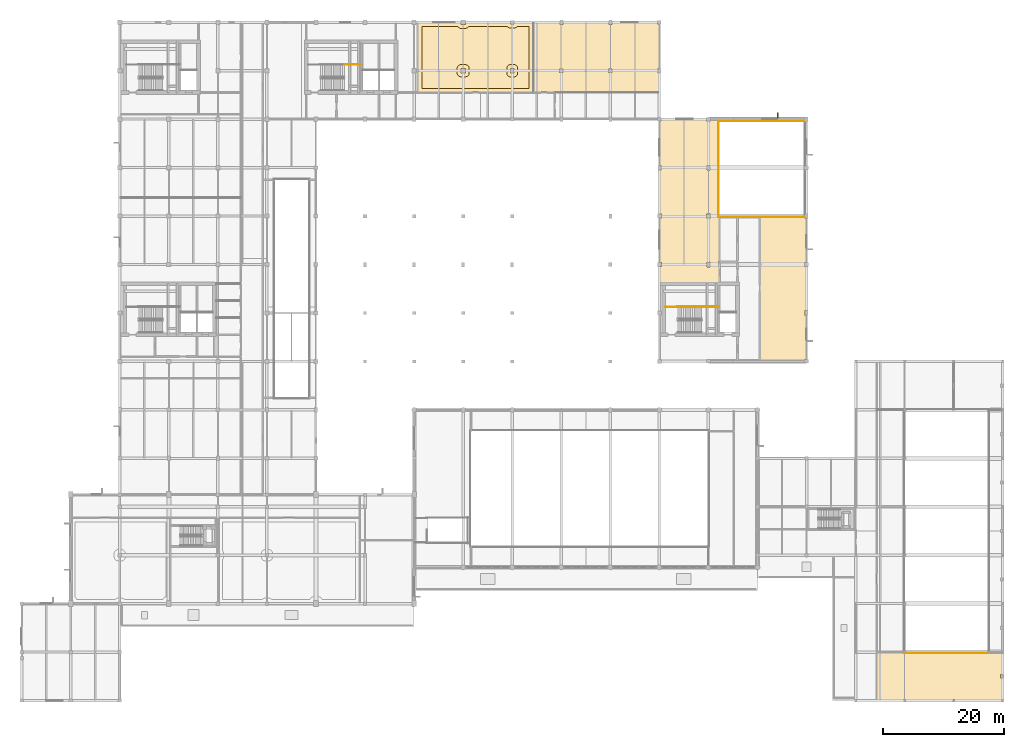
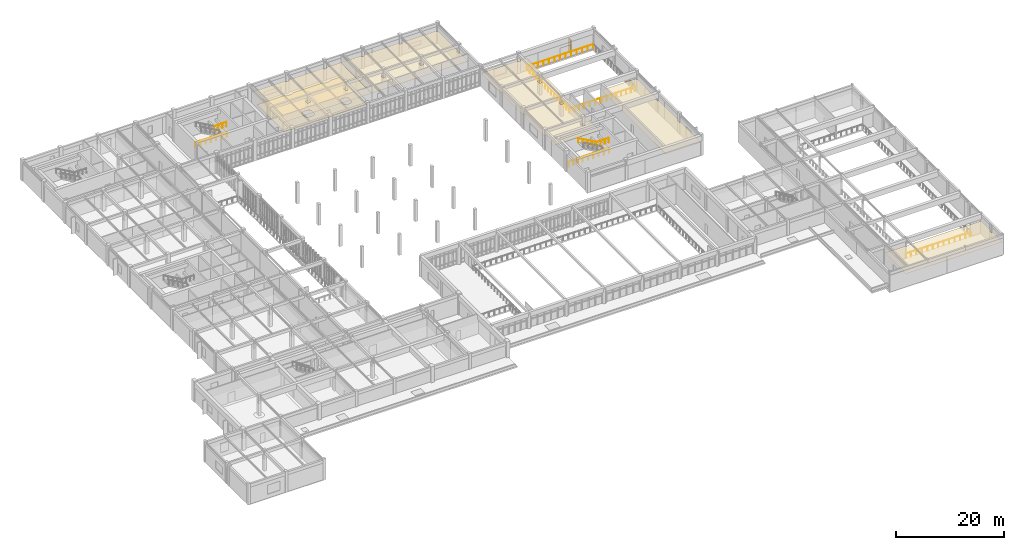
# One storey, part 59 of 61: 12 railings, 6 coverings, 1 shading device.
"""IFC4 building model written with IfcOpenShell, lengths in metres."""

from ifc_helpers import new_model, si_unit, direction, frame, origin, origin_2d, place, context, subcontext, project, spatial, polyline, rectangle, circle, outline, extrude, material, layer, layer_set, material_profile, profile_set, type_object, element, save


model = new_model("IFC4")

# Units and contexts
model_context = context("Model", 3, precision=1e-05, world=origin(), true_north=direction((0.0, 1.0)))
body_context = subcontext(model_context, "Body", "Model", "MODEL_VIEW")
ifc_project = project(units=[si_unit("LENGTHUNIT", "METRE"), si_unit("AREAUNIT", "SQUARE_METRE"), si_unit("VOLUMEUNIT", "CUBIC_METRE"), si_unit("PLANEANGLEUNIT", "RADIAN"), si_unit("MASSUNIT", "GRAM", prefix="KILO")], contexts=[model_context])

# Site, building, storey
site_placement = place(None, origin())
site = spatial("IfcSite", under=ifc_project, at=site_placement, CompositionType="ELEMENT")
building_placement = place(site_placement, origin())
building = spatial("IfcBuilding", under=site, at=building_placement, Name="Tarnveldt Square Police Headquarters", CompositionType="ELEMENT")
storey_placement = place(building_placement, frame((0.0, 0.0, 5.39990234375)))
storey = spatial("IfcBuildingStorey", under=building, at=storey_placement, Name="L01", CompositionType="ELEMENT", Elevation=5.39990234375)

# Coverings
ifc_material_1 = material(Name="Mineral-fibre acoustic ceiling tile", Category="gypsum")
ifc_layer_1 = layer(ifc_material_1, 0.02001953125)
ifc_layer_set_1 = layer_set([ifc_layer_1], Name="Mineral-fibre acoustic ceiling tile")
covering_type_1 = type_object("IfcCoveringType", Name="COV-CEIL-20", PredefinedType="CEILING", material=ifc_layer_set_1)
covering_1_placement = place(storey_placement, frame((0.0, 0.0, 2.75)))
element("IfcCovering", 1, at=covering_1_placement, inside=storey, type_object=covering_type_1, Name="Cardiovascular Conditioning Studio Acoustic Ceiling", PredefinedType="CEILING", context=body_context, shape_type="SweptSolid", body=[
    extrude(outline(polyline([(161.949951171875, 0.16357421875), (161.843505859375, 0.16357421875), (161.843505859375, 0.050048828125), (154.056396484375, 0.050048828125), (154.056396484375, 0.16357421875), (153.743408203125, 0.16357421875), (153.743408203125, 0.050048828125), (145.95654296875, 0.050048828125), (145.95654296875, 0.16357421875), (145.6435546875, 0.16357421875), (145.6435546875, 0.050048828125), (141.25, 0.050048828125), (141.25, 7.949951171875), (145.6435546875, 7.949951171875), (145.6435546875, 7.83642578125), (145.95654296875, 7.83642578125), (145.95654296875, 7.949951171875), (161.843505859375, 7.949951171875), (161.843505859375, 7.83642578125), (161.949951171875, 7.83642578125), (161.949951171875, 4.277099609375), (161.64306640625, 4.277099609375), (161.64306640625, 3.722900390625), (161.949951171875, 3.722900390625), (161.949951171875, 0.16357421875)])), origin(), (0.0, 0.0, 1.0), 0.02001953125),
])
covering_2_placement = place(storey_placement, frame((0.0, 0.0, 2.75)))
element("IfcCovering", 2, at=covering_2_placement, inside=storey, type_object=covering_type_1, Name="Youth Custody Suite Separation Wing Acoustic Ceiling", PredefinedType="CEILING", context=body_context, shape_type="SweptSolid", body=[
    extrude(outline(polyline([(129.550048828125, 56.302001953125), (129.298095703125, 56.302001953125), (129.298095703125, 56.050048828125), (121.949951171875, 56.050048828125), (121.949951171875, 79.949951171875), (129.347900390625, 79.949951171875), (129.347900390625, 79.623046875), (129.550048828125, 79.623046875), (129.550048828125, 72.302001953125), (129.298095703125, 72.302001953125), (129.298095703125, 71.697998046875), (129.550048828125, 71.697998046875), (129.550048828125, 64.376953125), (129.347900390625, 64.376953125), (129.347900390625, 63.623046875), (129.550048828125, 63.623046875), (129.550048828125, 56.302001953125)])), origin(), (0.0, 0.0, 1.0), 0.02001953125),
])
covering_3_placement = place(storey_placement, frame((0.0, 0.0, 2.75)))
element("IfcCovering", 3, at=covering_3_placement, inside=storey, type_object=covering_type_1, Name="Video-Recorded Interview Suite Acoustic Ceiling", PredefinedType="CEILING", context=body_context, shape_type="SweptSolid", body=[
    extrude(outline(polyline([(115.14990234375, 95.949951171875), (115.14990234375, 68.85009765625), (105.35009765625, 68.85009765625), (105.35009765625, 71.64794921875), (105.652099609375, 71.64794921875), (105.652099609375, 72.35205078125), (105.35009765625, 72.35205078125), (105.35009765625, 79.64794921875), (105.652099609375, 79.64794921875), (105.652099609375, 80.35205078125), (105.35009765625, 80.35205078125), (105.35009765625, 87.623046875), (105.552001953125, 87.623046875), (105.552001953125, 88.376953125), (105.35009765625, 88.376953125), (105.35009765625, 95.697998046875), (105.60205078125, 95.697998046875), (105.60205078125, 95.949951171875), (113.097900390625, 95.949951171875), (113.097900390625, 95.697998046875), (113.701904296875, 95.697998046875), (113.701904296875, 95.949951171875), (115.14990234375, 95.949951171875)]), holes=[polyline([(113.701904296875, 80.302001953125), (113.097900390625, 80.302001953125), (113.097900390625, 79.697998046875), (113.701904296875, 79.697998046875), (113.701904296875, 80.302001953125)]), polyline([(113.652099609375, 88.376953125), (113.14794921875, 88.376953125), (113.14794921875, 87.623046875), (113.652099609375, 87.623046875), (113.652099609375, 88.376953125)]), polyline([(113.652099609375, 72.376953125), (113.14794921875, 72.376953125), (113.14794921875, 71.623046875), (113.652099609375, 71.623046875), (113.652099609375, 72.376953125)])]), origin(), (0.0, 0.0, 1.0), 0.02001953125),
])
covering_4_placement = place(storey_placement, frame((0.0, 0.0, 2.75)))
element("IfcCovering", 4, at=covering_4_placement, inside=storey, type_object=covering_type_1, Name="Latent Fingerprint Forensic Laboratory Acoustic Ceiling", PredefinedType="CEILING", context=body_context, shape_type="SweptSolid", body=[
    extrude(outline(polyline([(84.449951171875, 111.949951171875), (84.449951171875, 100.449951171875), (65.449951171875, 100.449951171875), (65.449951171875, 111.949951171875), (72.548095703125, 111.949951171875), (72.548095703125, 111.64794921875), (73.251953125, 111.64794921875), (73.251953125, 111.949951171875), (80.697998046875, 111.949951171875), (80.697998046875, 111.697998046875), (81.302001953125, 111.697998046875), (81.302001953125, 111.949951171875), (84.449951171875, 111.949951171875)]), holes=[polyline([(81.251953125, 104.376953125), (80.748046875, 104.376953125), (80.748046875, 103.623046875), (81.251953125, 103.623046875), (81.251953125, 104.376953125)]), polyline([(72.548095703125, 104.35205078125), (72.548095703125, 103.64794921875), (73.251953125, 103.64794921875), (73.251953125, 104.35205078125), (72.548095703125, 104.35205078125)])]), origin(), (0.0, 0.0, 1.0), 0.02001953125),
])
covering_5_placement = place(storey_placement, frame((0.0, 0.0, 2.75)))
element("IfcCovering", 5, at=covering_5_placement, inside=storey, type_object=covering_type_1, Name="Forensic Imaging and Photogrammetry Studio Acoustic Ceiling", PredefinedType="CEILING", context=body_context, shape_type="SweptSolid", body=[
    extrude(outline(polyline([(105.25, 100.449951171875), (84.550048828125, 100.449951171875), (84.550048828125, 111.949951171875), (88.847900390625, 111.949951171875), (88.847900390625, 111.623046875), (89.35205078125, 111.623046875), (89.35205078125, 111.949951171875), (96.947998046875, 111.949951171875), (96.947998046875, 111.623046875), (97.451904296875, 111.623046875), (97.451904296875, 111.949951171875), (104.998046875, 111.949951171875), (104.998046875, 111.697998046875), (105.25, 111.697998046875), (105.25, 104.376953125), (105.048095703125, 104.376953125), (105.048095703125, 103.623046875), (105.25, 103.623046875), (105.25, 100.449951171875)]), holes=[polyline([(96.89794921875, 104.302001953125), (96.89794921875, 103.697998046875), (97.501953125, 103.697998046875), (97.501953125, 104.302001953125), (96.89794921875, 104.302001953125)]), polyline([(89.402099609375, 104.302001953125), (88.798095703125, 104.302001953125), (88.798095703125, 103.697998046875), (89.402099609375, 103.697998046875), (89.402099609375, 104.302001953125)])]), origin(), (0.0, 0.0, 1.0), 0.02001953125),
])
ifc_material_2 = material(Name="Polished cementitious terrazzo flooring", Category="concrete")
ifc_layer_2 = layer(ifc_material_2, 0.02490234375)
ifc_layer_set_2 = layer_set([ifc_layer_2], Name="Polished cementitious terrazzo flooring")
covering_type_2 = type_object("IfcCoveringType", Name="COV-FLR-25", PredefinedType="FLOORING", material=ifc_layer_set_2)
covering_6_placement = place(storey_placement, origin())
element("IfcCovering", 6, at=covering_6_placement, inside=storey, type_object=covering_type_2, Name="Latent Fingerprint Forensic Laboratory Terrazzo Finish Flooring", PredefinedType="FLOORING", context=body_context, shape_type="SweptSolid", body=[
    extrude(outline(polyline([(71.999755859375, 111.300048828125), (72.007568359375, 111.286865234375), (72.045654296875, 111.235595703125), (72.08837890625, 111.1884765625), (72.1357421875, 111.1455078125), (72.186767578125, 111.107666015625), (72.24169921875, 111.07470703125), (72.29931640625, 111.04736328125), (72.359375, 111.02587890625), (72.421142578125, 111.010498046875), (72.484375, 111.001220703125), (72.548095703125, 110.998046875), (73.251953125, 110.998046875), (73.315673828125, 111.001220703125), (73.37890625, 111.010498046875), (73.440673828125, 111.02587890625), (73.500732421875, 111.04736328125), (73.558349609375, 111.07470703125), (73.613037109375, 111.107666015625), (73.664306640625, 111.1455078125), (73.711669921875, 111.1884765625), (73.75439453125, 111.235595703125), (73.79248046875, 111.286865234375), (73.80029296875, 111.300048828125), (80.184814453125, 111.300048828125), (80.195556640625, 111.28564453125), (80.23828125, 111.23828125), (80.28564453125, 111.195556640625), (80.3369140625, 111.157470703125), (80.3916015625, 111.124755859375), (80.44921875, 111.097412109375), (80.50927734375, 111.075927734375), (80.5712890625, 111.060546875), (80.63427734375, 111.051025390625), (80.697998046875, 111.048095703125), (81.302001953125, 111.048095703125), (81.36572265625, 111.051025390625), (81.4287109375, 111.060546875), (81.49072265625, 111.075927734375), (81.55078125, 111.097412109375), (81.6083984375, 111.124755859375), (81.6630859375, 111.157470703125), (81.71435546875, 111.195556640625), (81.76171875, 111.23828125), (81.804443359375, 111.28564453125), (81.815185546875, 111.300048828125), (83.800048828125, 111.300048828125), (83.800048828125, 101.10009765625), (66.10009765625, 101.10009765625), (66.10009765625, 111.300048828125), (71.999755859375, 111.300048828125)]), holes=[polyline([(81.902099609375, 104.376953125), (81.89892578125, 104.440673828125), (81.889404296875, 104.50390625), (81.8740234375, 104.565673828125), (81.8525390625, 104.625732421875), (81.8251953125, 104.683349609375), (81.79248046875, 104.738037109375), (81.75439453125, 104.789306640625), (81.711669921875, 104.836669921875), (81.664306640625, 104.87939453125), (81.613037109375, 104.91748046875), (81.558349609375, 104.9501953125), (81.500732421875, 104.9775390625), (81.440673828125, 104.9990234375), (81.37890625, 105.014404296875), (81.315673828125, 105.02392578125), (81.251953125, 105.027099609375), (80.748046875, 105.027099609375), (80.684326171875, 105.02392578125), (80.62109375, 105.014404296875), (80.559326171875, 104.9990234375), (80.499267578125, 104.9775390625), (80.441650390625, 104.9501953125), (80.386962890625, 104.91748046875), (80.335693359375, 104.87939453125), (80.288330078125, 104.836669921875), (80.24560546875, 104.789306640625), (80.20751953125, 104.738037109375), (80.1748046875, 104.683349609375), (80.1474609375, 104.625732421875), (80.1259765625, 104.565673828125), (80.110595703125, 104.50390625), (80.10107421875, 104.440673828125), (80.097900390625, 104.376953125), (80.097900390625, 103.623046875), (80.10107421875, 103.559326171875), (80.110595703125, 103.49609375), (80.1259765625, 103.434326171875), (80.1474609375, 103.374267578125), (80.1748046875, 103.316650390625), (80.20751953125, 103.261962890625), (80.24560546875, 103.210693359375), (80.288330078125, 103.163330078125), (80.335693359375, 103.12060546875), (80.386962890625, 103.08251953125), (80.441650390625, 103.0498046875), (80.499267578125, 103.0224609375), (80.559326171875, 103.0009765625), (80.62109375, 102.985595703125), (80.684326171875, 102.97607421875), (80.748046875, 102.972900390625), (81.251953125, 102.972900390625), (81.315673828125, 102.97607421875), (81.37890625, 102.985595703125), (81.440673828125, 103.0009765625), (81.500732421875, 103.0224609375), (81.558349609375, 103.0498046875), (81.613037109375, 103.08251953125), (81.664306640625, 103.12060546875), (81.711669921875, 103.163330078125), (81.75439453125, 103.210693359375), (81.79248046875, 103.261962890625), (81.8251953125, 103.316650390625), (81.8525390625, 103.374267578125), (81.8740234375, 103.434326171875), (81.889404296875, 103.49609375), (81.89892578125, 103.559326171875), (81.902099609375, 103.623046875), (81.902099609375, 104.376953125)]), polyline([(72.548095703125, 105.001953125), (72.484375, 104.998779296875), (72.421142578125, 104.989501953125), (72.359375, 104.97412109375), (72.29931640625, 104.95263671875), (72.24169921875, 104.92529296875), (72.186767578125, 104.892333984375), (72.1357421875, 104.8544921875), (72.08837890625, 104.8115234375), (72.045654296875, 104.764404296875), (72.007568359375, 104.713134765625), (71.974853515625, 104.658447265625), (71.947509765625, 104.600830078125), (71.926025390625, 104.540771484375), (71.910400390625, 104.478759765625), (71.901123046875, 104.415771484375), (71.89794921875, 104.35205078125), (71.89794921875, 103.64794921875), (71.901123046875, 103.584228515625), (71.910400390625, 103.521240234375), (71.926025390625, 103.459228515625), (71.947509765625, 103.399169921875), (71.974853515625, 103.341552734375), (72.007568359375, 103.286865234375), (72.045654296875, 103.235595703125), (72.08837890625, 103.1884765625), (72.1357421875, 103.1455078125), (72.186767578125, 103.107666015625), (72.24169921875, 103.07470703125), (72.29931640625, 103.04736328125), (72.359375, 103.02587890625), (72.421142578125, 103.010498046875), (72.484375, 103.001220703125), (72.548095703125, 102.998046875), (73.251953125, 102.998046875), (73.315673828125, 103.001220703125), (73.37890625, 103.010498046875), (73.440673828125, 103.02587890625), (73.500732421875, 103.04736328125), (73.558349609375, 103.07470703125), (73.613037109375, 103.107666015625), (73.664306640625, 103.1455078125), (73.711669921875, 103.1884765625), (73.75439453125, 103.235595703125), (73.79248046875, 103.286865234375), (73.8251953125, 103.341552734375), (73.8525390625, 103.399169921875), (73.8740234375, 103.459228515625), (73.889404296875, 103.521240234375), (73.89892578125, 103.584228515625), (73.902099609375, 103.64794921875), (73.902099609375, 104.35205078125), (73.89892578125, 104.415771484375), (73.889404296875, 104.478759765625), (73.8740234375, 104.540771484375), (73.8525390625, 104.600830078125), (73.8251953125, 104.658447265625), (73.79248046875, 104.713134765625), (73.75439453125, 104.764404296875), (73.711669921875, 104.8115234375), (73.664306640625, 104.8544921875), (73.613037109375, 104.892333984375), (73.558349609375, 104.92529296875), (73.500732421875, 104.95263671875), (73.440673828125, 104.97412109375), (73.37890625, 104.989501953125), (73.315673828125, 104.998779296875), (73.251953125, 105.001953125), (72.548095703125, 105.001953125)])]), origin(), (0.0, 0.0, 1.0), 0.025146484375),
])

# Railings
ifc_material_3 = material(Name="Steel 350W", Category="steel")
railing_type_1 = type_object("IfcRailingType", Name="RL-GR-1100", PredefinedType="GUARDRAIL", material=ifc_material_3)
railing_1_placement = place(storey_placement, frame((53.27001953125, 104.969970703125, 2.400146484375)))
element("IfcRailing", 7, at=railing_1_placement, inside=storey, type_object=railing_type_1, Name="L01 ST3 stair guard 3", PredefinedType="GUARDRAIL", context=body_context, shape_type="SweptSolid", body=[
    extrude(circle(Radius=0.02392578125, at=origin_2d()), frame((0.0, 0.0, 1.076171875), z_axis=(1.0, 0.0, 0.0), x_axis=(0.0, 1.0, 0.0)), (0.0, 0.0, 1.0), 2.699951171875),
    extrude(circle(Radius=0.02099609375, at=origin_2d()), origin(), (0.0, 0.0, 1.0), 1.052001953125),
    extrude(circle(Radius=0.02099609375, at=origin_2d()), frame((0.89990234375, 0.0, 0.0)), (0.0, 0.0, 1.0), 1.052001953125),
    extrude(circle(Radius=0.02099609375, at=origin_2d()), frame((1.800048828125, 0.0, 0.0)), (0.0, 0.0, 1.0), 1.052001953125),
    extrude(circle(Radius=0.02099609375, at=origin_2d()), frame((2.699951171875, 0.0, 0.0)), (0.0, 0.0, 1.0), 1.052001953125),
])
railing_2_placement = place(storey_placement, frame((49.27001953125, 105.070068359375, 0.0)))
element("IfcRailing", 8, at=railing_2_placement, inside=storey, type_object=railing_type_1, Name="L01 ST3 stair guard 7", PredefinedType="GUARDRAIL", context=body_context, shape_type="SweptSolid", body=[
    extrude(circle(Radius=0.02392578125, at=origin_2d()), frame((0.0, 0.0, 1.076171875), z_axis=(1.0, 0.0, 0.0), x_axis=(0.0, 1.0, 0.0)), (0.0, 0.0, 1.0), 6.800048828125),
    extrude(circle(Radius=0.02099609375, at=origin_2d()), origin(), (0.0, 0.0, 1.0), 1.052001953125),
    extrude(circle(Radius=0.02099609375, at=origin_2d()), frame((1.13330078125, 0.0, 0.0)), (0.0, 0.0, 1.0), 1.052001953125),
    extrude(circle(Radius=0.02099609375, at=origin_2d()), frame((2.2666015625, 0.0, 0.0)), (0.0, 0.0, 1.0), 1.052001953125),
    extrude(circle(Radius=0.02099609375, at=origin_2d()), frame((3.39990234375, 0.0, 0.0)), (0.0, 0.0, 1.0), 1.052001953125),
    extrude(circle(Radius=0.02099609375, at=origin_2d()), frame((4.533447265625, 0.0, 0.0)), (0.0, 0.0, 1.0), 1.052001953125),
    extrude(circle(Radius=0.02099609375, at=origin_2d()), frame((5.666748046875, 0.0, 0.0)), (0.0, 0.0, 1.0), 1.052001953125),
    extrude(circle(Radius=0.02099609375, at=origin_2d()), frame((6.800048828125, 0.0, 0.0)), (0.0, 0.0, 1.0), 1.052001953125),
])
railing_3_placement = place(storey_placement, frame((112.27001953125, 64.969970703125, 2.400146484375)))
element("IfcRailing", 9, at=railing_3_placement, inside=storey, type_object=railing_type_1, Name="L01 ST4 stair guard 3", PredefinedType="GUARDRAIL", context=body_context, shape_type="SweptSolid", body=[
    extrude(circle(Radius=0.02392578125, at=origin_2d()), frame((0.0, 0.0, 1.076171875), z_axis=(1.0, 0.0, 0.0), x_axis=(0.0, 1.0, 0.0)), (0.0, 0.0, 1.0), 2.699951171875),
    extrude(circle(Radius=0.02099609375, at=origin_2d()), origin(), (0.0, 0.0, 1.0), 1.052001953125),
    extrude(circle(Radius=0.02099609375, at=origin_2d()), frame((0.89990234375, 0.0, 0.0)), (0.0, 0.0, 1.0), 1.052001953125),
    extrude(circle(Radius=0.02099609375, at=origin_2d()), frame((1.800048828125, 0.0, 0.0)), (0.0, 0.0, 1.0), 1.052001953125),
    extrude(circle(Radius=0.02099609375, at=origin_2d()), frame((2.699951171875, 0.0, 0.0)), (0.0, 0.0, 1.0), 1.052001953125),
])
railing_4_placement = place(storey_placement, frame((106.320068359375, 64.969970703125, 0.0)))
element("IfcRailing", 10, at=railing_4_placement, inside=storey, type_object=railing_type_1, Name="L01 ST4 stair guard 6", PredefinedType="GUARDRAIL", context=body_context, shape_type="SweptSolid", body=[
    extrude(circle(Radius=0.02392578125, at=origin_2d()), frame((0.0, 0.0, 1.076171875), z_axis=(1.0, 0.0, 0.0), x_axis=(0.0, 1.0, 0.0)), (0.0, 0.0, 1.0), 2.050048828125),
    extrude(circle(Radius=0.02099609375, at=origin_2d()), origin(), (0.0, 0.0, 1.0), 1.052001953125),
    extrude(circle(Radius=0.02099609375, at=origin_2d()), frame((1.02490234375, 0.0, 0.0)), (0.0, 0.0, 1.0), 1.052001953125),
    extrude(circle(Radius=0.02099609375, at=origin_2d()), frame((2.050048828125, 0.0, 0.0)), (0.0, 0.0, 1.0), 1.052001953125),
])
railing_5_placement = place(storey_placement, frame((108.27001953125, 65.070068359375, 0.0)))
element("IfcRailing", 11, at=railing_5_placement, inside=storey, type_object=railing_type_1, Name="L01 ST4 stair guard 7", PredefinedType="GUARDRAIL", context=body_context, shape_type="SweptSolid", body=[
    extrude(circle(Radius=0.02392578125, at=origin_2d()), frame((0.0, 0.0, 1.076171875), z_axis=(1.0, 0.0, 0.0), x_axis=(0.0, 1.0, 0.0)), (0.0, 0.0, 1.0), 6.800048828125),
    extrude(circle(Radius=0.02099609375, at=origin_2d()), origin(), (0.0, 0.0, 1.0), 1.052001953125),
    extrude(circle(Radius=0.02099609375, at=origin_2d()), frame((1.13330078125, 0.0, 0.0)), (0.0, 0.0, 1.0), 1.052001953125),
    extrude(circle(Radius=0.02099609375, at=origin_2d()), frame((2.2666015625, 0.0, 0.0)), (0.0, 0.0, 1.0), 1.052001953125),
    extrude(circle(Radius=0.02099609375, at=origin_2d()), frame((3.39990234375, 0.0, 0.0)), (0.0, 0.0, 1.0), 1.052001953125),
    extrude(circle(Radius=0.02099609375, at=origin_2d()), frame((4.533447265625, 0.0, 0.0)), (0.0, 0.0, 1.0), 1.052001953125),
    extrude(circle(Radius=0.02099609375, at=origin_2d()), frame((5.666748046875, 0.0, 0.0)), (0.0, 0.0, 1.0), 1.052001953125),
    extrude(circle(Radius=0.02099609375, at=origin_2d()), frame((6.800048828125, 0.0, 0.0)), (0.0, 0.0, 1.0), 1.052001953125),
])
railing_6_placement = place(storey_placement, frame((145.679931640625, 7.8798828125, 0.0)))
element("IfcRailing", 12, at=railing_6_placement, inside=storey, type_object=railing_type_1, Name="L01 V3-RANGE Atrium Overlook Guardrail S1", PredefinedType="GUARDRAIL", context=body_context, shape_type="SweptSolid", body=[
    extrude(circle(Radius=0.02392578125, at=origin_2d()), frame((0.0, 0.0, 1.076171875), z_axis=(1.0, 0.0, 0.0), x_axis=(0.0, 1.0, 0.0)), (0.0, 0.0, 1.0), 14.0400390625),
    extrude(circle(Radius=0.02099609375, at=origin_2d()), origin(), (0.0, 0.0, 1.0), 1.052001953125),
    extrude(circle(Radius=0.02099609375, at=origin_2d()), frame((1.169921875, 0.0, 0.0)), (0.0, 0.0, 1.0), 1.052001953125),
    extrude(circle(Radius=0.02099609375, at=origin_2d()), frame((2.340087890625, 0.0, 0.0)), (0.0, 0.0, 1.0), 1.052001953125),
    extrude(circle(Radius=0.02099609375, at=origin_2d()), frame((3.510009765625, 0.0, 0.0)), (0.0, 0.0, 1.0), 1.052001953125),
    extrude(circle(Radius=0.02099609375, at=origin_2d()), frame((4.679931640625, 0.0, 0.0)), (0.0, 0.0, 1.0), 1.052001953125),
    extrude(circle(Radius=0.02099609375, at=origin_2d()), frame((5.85009765625, 0.0, 0.0)), (0.0, 0.0, 1.0), 1.052001953125),
    extrude(circle(Radius=0.02099609375, at=origin_2d()), frame((7.02001953125, 0.0, 0.0)), (0.0, 0.0, 1.0), 1.052001953125),
    extrude(circle(Radius=0.02099609375, at=origin_2d()), frame((8.18994140625, 0.0, 0.0)), (0.0, 0.0, 1.0), 1.052001953125),
    extrude(circle(Radius=0.02099609375, at=origin_2d()), frame((9.360107421875, 0.0, 0.0)), (0.0, 0.0, 1.0), 1.052001953125),
    extrude(circle(Radius=0.02099609375, at=origin_2d()), frame((10.530029296875, 0.0, 0.0)), (0.0, 0.0, 1.0), 1.052001953125),
    extrude(circle(Radius=0.02099609375, at=origin_2d()), frame((11.699951171875, 0.0, 0.0)), (0.0, 0.0, 1.0), 1.052001953125),
    extrude(circle(Radius=0.02099609375, at=origin_2d()), frame((12.8701171875, 0.0, 0.0)), (0.0, 0.0, 1.0), 1.052001953125),
    extrude(circle(Radius=0.02099609375, at=origin_2d()), frame((14.0400390625, 0.0, 0.0)), (0.0, 0.0, 1.0), 1.052001953125),
])
railing_7_placement = place(storey_placement, frame((115.2900390625, 79.8798828125, 0.0)))
element("IfcRailing", 13, at=railing_7_placement, inside=storey, type_object=railing_type_1, Name="L01 V7-SALLY Atrium Overlook Guardrail S2", PredefinedType="GUARDRAIL", context=body_context, shape_type="SweptSolid", body=[
    extrude(circle(Radius=0.02392578125, at=origin_2d()), frame((0.0, 0.0, 1.076171875), z_axis=(1.0, 0.0, 0.0), x_axis=(0.0, 1.0, 0.0)), (0.0, 0.0, 1.0), 2.744873046875),
    extrude(circle(Radius=0.02099609375, at=origin_2d()), origin(), (0.0, 0.0, 1.0), 1.052001953125),
    extrude(circle(Radius=0.02099609375, at=origin_2d()), frame((0.9150390625, 0.0, 0.0)), (0.0, 0.0, 1.0), 1.052001953125),
    extrude(circle(Radius=0.02099609375, at=origin_2d()), frame((1.829833984375, 0.0, 0.0)), (0.0, 0.0, 1.0), 1.052001953125),
    extrude(circle(Radius=0.02099609375, at=origin_2d()), frame((2.744873046875, 0.0, 0.0)), (0.0, 0.0, 1.0), 1.052001953125),
])
railing_8_placement = place(storey_placement, frame((118.364990234375, 79.8798828125, 0.0)))
element("IfcRailing", 14, at=railing_8_placement, inside=storey, type_object=railing_type_1, Name="L01 V7-SALLY Atrium Overlook Guardrail S3", PredefinedType="GUARDRAIL", context=body_context, shape_type="SweptSolid", body=[
    extrude(circle(Radius=0.02392578125, at=origin_2d()), frame((0.0, 0.0, 1.076171875), z_axis=(1.0, 0.0, 0.0), x_axis=(0.0, 1.0, 0.0)), (0.0, 0.0, 1.0), 3.3701171875),
    extrude(circle(Radius=0.02099609375, at=origin_2d()), origin(), (0.0, 0.0, 1.0), 1.052001953125),
    extrude(circle(Radius=0.02099609375, at=origin_2d()), frame((1.123291015625, 0.0, 0.0)), (0.0, 0.0, 1.0), 1.052001953125),
    extrude(circle(Radius=0.02099609375, at=origin_2d()), frame((2.246826171875, 0.0, 0.0)), (0.0, 0.0, 1.0), 1.052001953125),
    extrude(circle(Radius=0.02099609375, at=origin_2d()), frame((3.3701171875, 0.0, 0.0)), (0.0, 0.0, 1.0), 1.052001953125),
])
railing_9_placement = place(storey_placement, frame((122.06494140625, 79.8798828125, 0.0)))
element("IfcRailing", 15, at=railing_9_placement, inside=storey, type_object=railing_type_1, Name="L01 V7-SALLY Atrium Overlook Guardrail S4", PredefinedType="GUARDRAIL", context=body_context, shape_type="SweptSolid", body=[
    extrude(circle(Radius=0.02392578125, at=origin_2d()), frame((0.0, 0.0, 1.076171875), z_axis=(1.0, 0.0, 0.0), x_axis=(0.0, 1.0, 0.0)), (0.0, 0.0, 1.0), 7.255126953125),
    extrude(circle(Radius=0.02099609375, at=origin_2d()), origin(), (0.0, 0.0, 1.0), 1.052001953125),
    extrude(circle(Radius=0.02099609375, at=origin_2d()), frame((1.036376953125, 0.0, 0.0)), (0.0, 0.0, 1.0), 1.052001953125),
    extrude(circle(Radius=0.02099609375, at=origin_2d()), frame((2.072998046875, 0.0, 0.0)), (0.0, 0.0, 1.0), 1.052001953125),
    extrude(circle(Radius=0.02099609375, at=origin_2d()), frame((3.109375, 0.0, 0.0)), (0.0, 0.0, 1.0), 1.052001953125),
    extrude(circle(Radius=0.02099609375, at=origin_2d()), frame((4.145751953125, 0.0, 0.0)), (0.0, 0.0, 1.0), 1.052001953125),
    extrude(circle(Radius=0.02099609375, at=origin_2d()), frame((5.18212890625, 0.0, 0.0)), (0.0, 0.0, 1.0), 1.052001953125),
    extrude(circle(Radius=0.02099609375, at=origin_2d()), frame((6.21875, 0.0, 0.0)), (0.0, 0.0, 1.0), 1.052001953125),
    extrude(circle(Radius=0.02099609375, at=origin_2d()), frame((7.255126953125, 0.0, 0.0)), (0.0, 0.0, 1.0), 1.052001953125),
])
railing_10_placement = place(storey_placement, frame((129.320068359375, 95.719970703125, 0.0)))
element("IfcRailing", 16, at=railing_10_placement, inside=storey, type_object=railing_type_1, Name="L01 V7-SALLY Atrium Overlook Guardrail N1", PredefinedType="GUARDRAIL", context=body_context, shape_type="SweptSolid", body=[
    extrude(circle(Radius=0.02392578125, at=origin_2d()), frame((0.0, 0.0, 1.076171875), z_axis=(-1.0, 0.0, 0.0), x_axis=(0.0, -1.0, 0.0)), (0.0, 0.0, 1.0), 14.239990234375),
    extrude(circle(Radius=0.02099609375, at=origin_2d()), origin(), (0.0, 0.0, 1.0), 1.052001953125),
    extrude(circle(Radius=0.02099609375, at=origin_2d()), frame((-1.186767578125, 0.0, 0.0)), (0.0, 0.0, 1.0), 1.052001953125),
    extrude(circle(Radius=0.02099609375, at=origin_2d()), frame((-2.373291015625, 0.0, 0.0)), (0.0, 0.0, 1.0), 1.052001953125),
    extrude(circle(Radius=0.02099609375, at=origin_2d()), frame((-3.56005859375, 0.0, 0.0)), (0.0, 0.0, 1.0), 1.052001953125),
    extrude(circle(Radius=0.02099609375, at=origin_2d()), frame((-4.74658203125, 0.0, 0.0)), (0.0, 0.0, 1.0), 1.052001953125),
    extrude(circle(Radius=0.02099609375, at=origin_2d()), frame((-5.933349609375, 0.0, 0.0)), (0.0, 0.0, 1.0), 1.052001953125),
    extrude(circle(Radius=0.02099609375, at=origin_2d()), frame((-7.1201171875, 0.0, 0.0)), (0.0, 0.0, 1.0), 1.052001953125),
    extrude(circle(Radius=0.02099609375, at=origin_2d()), frame((-8.306640625, 0.0, 0.0)), (0.0, 0.0, 1.0), 1.052001953125),
    extrude(circle(Radius=0.02099609375, at=origin_2d()), frame((-9.493408203125, 0.0, 0.0)), (0.0, 0.0, 1.0), 1.052001953125),
    extrude(circle(Radius=0.02099609375, at=origin_2d()), frame((-10.679931640625, 0.0, 0.0)), (0.0, 0.0, 1.0), 1.052001953125),
    extrude(circle(Radius=0.02099609375, at=origin_2d()), frame((-11.86669921875, 0.0, 0.0)), (0.0, 0.0, 1.0), 1.052001953125),
    extrude(circle(Radius=0.02099609375, at=origin_2d()), frame((-13.05322265625, 0.0, 0.0)), (0.0, 0.0, 1.0), 1.052001953125),
    extrude(circle(Radius=0.02099609375, at=origin_2d()), frame((-14.239990234375, 0.0, 0.0)), (0.0, 0.0, 1.0), 1.052001953125),
])
railing_11_placement = place(storey_placement, frame((115.080078125, 95.719970703125, 0.0)))
element("IfcRailing", 17, at=railing_11_placement, inside=storey, type_object=railing_type_1, Name="L01 V7-SALLY Atrium Overlook Guardrail W1", PredefinedType="GUARDRAIL", context=body_context, shape_type="SweptSolid", body=[
    extrude(circle(Radius=0.02392578125, at=origin_2d()), frame((0.0, 0.0, 1.076171875), z_axis=(0.0, -1.0, 0.0), x_axis=(1.0, 0.0, 0.0)), (0.0, 0.0, 1.0), 15.840087890625),
    extrude(circle(Radius=0.02099609375, at=origin_2d()), origin(), (0.0, 0.0, 1.0), 1.052001953125),
    extrude(circle(Radius=0.02099609375, at=origin_2d()), frame((0.0, -1.13134765625, 0.0)), (0.0, 0.0, 1.0), 1.052001953125),
    extrude(circle(Radius=0.02099609375, at=origin_2d()), frame((0.0, -2.262939453125, 0.0)), (0.0, 0.0, 1.0), 1.052001953125),
    extrude(circle(Radius=0.02099609375, at=origin_2d()), frame((0.0, -3.394287109375, 0.0)), (0.0, 0.0, 1.0), 1.052001953125),
    extrude(circle(Radius=0.02099609375, at=origin_2d()), frame((0.0, -4.525634765625, 0.0)), (0.0, 0.0, 1.0), 1.052001953125),
    extrude(circle(Radius=0.02099609375, at=origin_2d()), frame((0.0, -5.6572265625, 0.0)), (0.0, 0.0, 1.0), 1.052001953125),
    extrude(circle(Radius=0.02099609375, at=origin_2d()), frame((0.0, -6.78857421875, 0.0)), (0.0, 0.0, 1.0), 1.052001953125),
    extrude(circle(Radius=0.02099609375, at=origin_2d()), frame((0.0, -7.919921875, 0.0)), (0.0, 0.0, 1.0), 1.052001953125),
    extrude(circle(Radius=0.02099609375, at=origin_2d()), frame((0.0, -9.051513671875, 0.0)), (0.0, 0.0, 1.0), 1.052001953125),
    extrude(circle(Radius=0.02099609375, at=origin_2d()), frame((0.0, -10.182861328125, 0.0)), (0.0, 0.0, 1.0), 1.052001953125),
    extrude(circle(Radius=0.02099609375, at=origin_2d()), frame((0.0, -11.314453125, 0.0)), (0.0, 0.0, 1.0), 1.052001953125),
    extrude(circle(Radius=0.02099609375, at=origin_2d()), frame((0.0, -12.44580078125, 0.0)), (0.0, 0.0, 1.0), 1.052001953125),
    extrude(circle(Radius=0.02099609375, at=origin_2d()), frame((0.0, -13.5771484375, 0.0)), (0.0, 0.0, 1.0), 1.052001953125),
    extrude(circle(Radius=0.02099609375, at=origin_2d()), frame((0.0, -14.708740234375, 0.0)), (0.0, 0.0, 1.0), 1.052001953125),
    extrude(circle(Radius=0.02099609375, at=origin_2d()), frame((0.0, -15.840087890625, 0.0)), (0.0, 0.0, 1.0), 1.052001953125),
])
railing_type_2 = type_object("IfcRailingType", Name="RL-HR-900", PredefinedType="HANDRAIL", material=ifc_material_3)
railing_12_placement = place(storey_placement, frame((112.27001953125, 64.969970703125, 2.571533203125)))
element("IfcRailing", 18, at=railing_12_placement, inside=storey, type_object=railing_type_2, Name="L01 ST4 stair handrail 2", PredefinedType="HANDRAIL", context=body_context, shape_type="SweptSolid", body=[
    extrude(circle(Radius=0.02392578125, at=origin_2d()), frame((0.0, 0.0, 0.8759765625), z_axis=(-0.868243142124, 0.0, 0.496138938357), x_axis=(0.0, -1.0, 0.0)), (0.0, 0.0, 1.0), 4.49169921875),
    extrude(circle(Radius=0.02099609375, at=origin_2d()), origin(), (0.0, 0.0, 1.0), 0.851806640625),
    extrude(circle(Radius=0.02099609375, at=origin_2d()), frame((-0.97509765625, 0.0, 0.55712890625)), (0.0, 0.0, 1.0), 0.851806640625),
    extrude(circle(Radius=0.02099609375, at=origin_2d()), frame((-1.949951171875, 0.0, 1.1142578125)), (0.0, 0.0, 1.0), 0.851806640625),
    extrude(circle(Radius=0.02099609375, at=origin_2d()), frame((-2.9248046875, 0.0, 1.67138671875)), (0.0, 0.0, 1.0), 0.851806640625),
    extrude(circle(Radius=0.02099609375, at=origin_2d()), frame((-3.89990234375, 0.0, 2.228515625)), (0.0, 0.0, 1.0), 0.851806640625),
])

# Shading device
ifc_material_4 = material(Name="Precast concrete 35 MPa", Category="concrete")
ifc_material_profile = material_profile(ifc_material_4, rectangle(XDim=0.219970703125, YDim=0.89990234375, at=origin_2d()), Name="PC-FIN220x900")
ifc_profile_set = profile_set([ifc_material_profile], Name="Precast concrete 35 MPa")
shading_device_type = type_object("IfcShadingDeviceType", Name="SHD-FIN-900", PredefinedType="USERDEFINED", material=ifc_profile_set)
shading_device_placement = place(storey_placement, frame((124.85009765625, 96.60498046875, 0.150146484375), z_axis=(0.0, 0.0, 1.0), x_axis=(-1.0, 0.0, 0.0)))
element("IfcShadingDevice", 19, at=shading_device_placement, inside=storey, type_object=shading_device_type, Name="L01 Precast Deep-Reveal Brutalist Fin 021", ObjectType="SOLAR SHADING FIN", PredefinedType="USERDEFINED", context=body_context, shape_type="SweptSolid", body=[
    extrude(rectangle(XDim=0.219970703125, YDim=0.89990234375, at=origin_2d()), origin(), (0.0, 0.0, 1.0), 3.112060546875),
])

save(model, "model.ifc")
